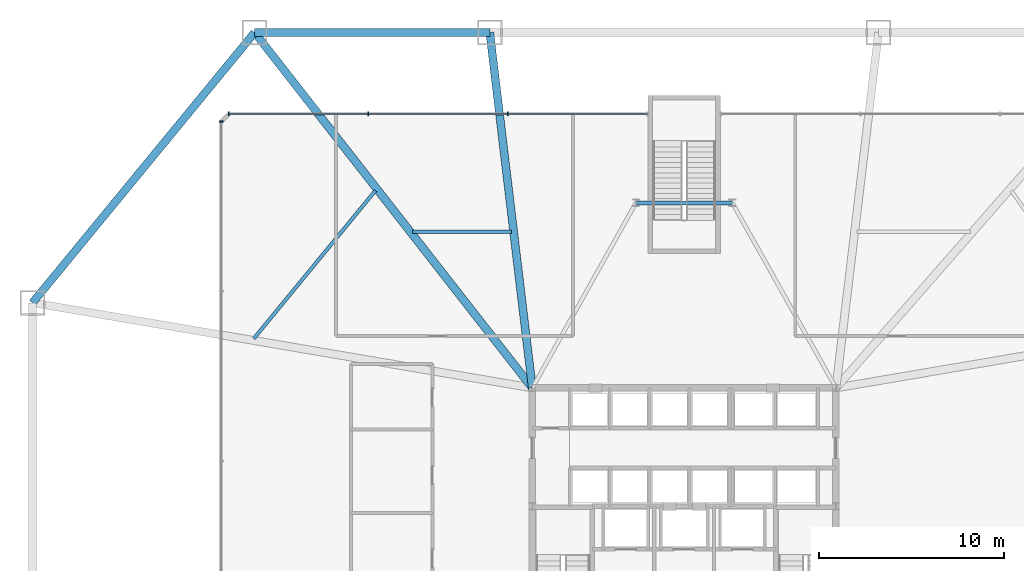
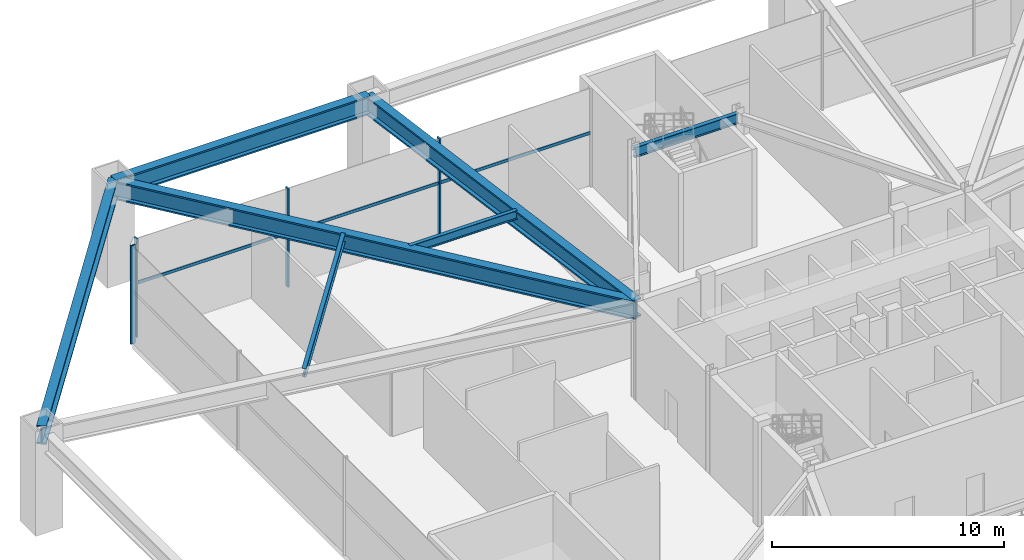
# One storey, part 11 of 18: 7 beams, 5 members, 2 elements without a shape of their own.
"""IFC4 building model written with IfcOpenShell, lengths in metres."""

from ifc_helpers import new_model, si_unit, direction, frame, origin, origin_2d, place, context, subcontext, project, spatial, rectangle, i_section, extrude, source, transform, mapped, material, layer, layer_set, material_profile, profile_set, type_object, type_shapes, element, aggregate, save


model = new_model("IFC4")

# Units and contexts
model_context = context("Model", 3, precision=1e-05, world=origin(), true_north=direction((0.0, 1.0)))
body_context = subcontext(model_context, "Body", "Model", "MODEL_VIEW")
ifc_project = project(units=[si_unit("LENGTHUNIT", "METRE"), si_unit("AREAUNIT", "SQUARE_METRE"), si_unit("VOLUMEUNIT", "CUBIC_METRE"), si_unit("PLANEANGLEUNIT", "RADIAN"), si_unit("MASSUNIT", "GRAM", prefix="KILO")], contexts=[model_context])

# Site, building, storey
site_placement = place(None, origin())
site = spatial("IfcSite", under=ifc_project, at=site_placement, CompositionType="ELEMENT")
building_placement = place(site_placement, origin())
building = spatial("IfcBuilding", under=site, at=building_placement, Name="Varakhsha Concourse Tower", CompositionType="ELEMENT")
storey_placement = place(building_placement, frame((0.0, 0.0, 5.5)))
storey = spatial("IfcBuildingStorey", under=building, at=storey_placement, Name="L02", CompositionType="ELEMENT", Elevation=5.5)

# Beams
ifc_material_1 = material(Name="Structural Steel ASTM A992 Grade 50", Category="steel")
ifc_material_profile_1 = material_profile(ifc_material_1, i_section(OverallWidth=0.19091796875, OverallDepth=0.45703125, WebThickness=0.009033203125, FlangeThickness=0.013916015625, at=origin_2d()), Name="W18X50")
ifc_profile_set_1 = profile_set([ifc_material_profile_1], Name="Structural Steel ASTM A992 Grade 50")
beam_type_1 = type_object("IfcBeamType", Name="BM-JST-W18X50", PredefinedType="JOIST", material=ifc_profile_set_1)
beam_1_placement = place(storey_placement, frame((30.66796875, 39.64794921875, 4.951416015625), z_axis=(-1.0, 0.0, 0.0), x_axis=(0.0, -1.0, 0.0)))
element("IfcBeam", 1, at=beam_1_placement, inside=storey, type_object=beam_type_1, Name="BM-PJST-L02-09", PredefinedType="JOIST", context=body_context, shape_type="SweptSolid", body=[
    extrude(i_section(OverallWidth=0.19091796875, OverallDepth=0.45703125, WebThickness=0.009033203125, FlangeThickness=0.013916015625, at=origin_2d()), origin(), (0.0, 0.0, 1.0), 5.347900390625),
])
beam_2_placement = place(storey_placement, frame((23.32373046875, 41.859375, 4.951416015625), z_axis=(-0.634959865375, -0.772545124483, 0.0), x_axis=(0.772545124483, -0.634959865375, 0.0)))
element("IfcBeam", 2, at=beam_2_placement, inside=storey, type_object=beam_type_1, Name="BM-PJST-L02-10", PredefinedType="JOIST", context=body_context, shape_type="SweptSolid", body=[
    extrude(i_section(OverallWidth=0.19091796875, OverallDepth=0.45703125, WebThickness=0.009033203125, FlangeThickness=0.013916015625, at=origin_2d()), origin(), (0.0, 0.0, 1.0), 10.34326171875),
])
ifc_material_profile_2 = material_profile(ifc_material_1, i_section(OverallWidth=0.2109375, OverallDepth=0.5390625, WebThickness=0.011962890625, FlangeThickness=0.01904296875, at=origin_2d()), Name="W21X73")
ifc_profile_set_2 = profile_set([ifc_material_profile_2], Name="Structural Steel ASTM A992 Grade 50")
beam_type_2 = type_object("IfcBeamType", Name="BM-RAD-W21X73", PredefinedType="BEAM", material=ifc_profile_set_2)
beam_3_placement = place(storey_placement, frame((37.39990234375, 41.199951171875, 4.910400390625), z_axis=(1.0, 0.0, 0.0), x_axis=(0.0, 1.0, 0.0)))
element("IfcBeam", 3, at=beam_3_placement, inside=storey, type_object=beam_type_2, Name="BM-CORE-L02-NSB", PredefinedType="BEAM", context=body_context, shape_type="SweptSolid", body=[
    extrude(i_section(OverallWidth=0.2109375, OverallDepth=0.5390625, WebThickness=0.011962890625, FlangeThickness=0.01904296875, at=origin_2d()), origin(), (0.0, 0.0, 1.0), 5.2001953125),
])
ifc_material_profile_3 = material_profile(ifc_material_1, i_section(OverallWidth=0.427978515625, OverallDepth=0.97509765625, WebThickness=0.050048828125, FlangeThickness=0.0810546875, at=origin_2d()), Name="W36X395")
ifc_profile_set_3 = profile_set([ifc_material_profile_3], Name="Structural Steel ASTM A992 Grade 50")
beam_type_3 = type_object("IfcBeamType", Name="BM-XFER-W36X395", PredefinedType="USERDEFINED", material=ifc_profile_set_3)
beam_4_placement = place(storey_placement, frame((29.5, 50.39990234375, 4.6923828125), z_axis=(-1.0, 0.0, 0.0), x_axis=(0.0, -1.0, 0.0)))
element("IfcBeam", 4, at=beam_4_placement, inside=storey, type_object=beam_type_3, Name="BM-PRING-L02-09", ObjectType="GIRDER", PredefinedType="USERDEFINED", context=body_context, shape_type="SweptSolid", body=[
    extrude(i_section(OverallWidth=0.427978515625, OverallDepth=0.97509765625, WebThickness=0.050048828125, FlangeThickness=0.0810546875, at=origin_2d()), origin(), (0.0, 0.0, 1.0), 12.699951171875),
])
beam_5_placement = place(storey_placement, frame((16.800048828125, 50.39990234375, 4.6923828125), z_axis=(-0.634968877859, -0.772537716976, 0.0), x_axis=(0.772537716976, -0.634968877859, 0.0)))
element("IfcBeam", 5, at=beam_5_placement, inside=storey, type_object=beam_type_3, Name="BM-PRING-L02-10", ObjectType="GIRDER", PredefinedType="USERDEFINED", context=body_context, shape_type="SweptSolid", body=[
    extrude(i_section(OverallWidth=0.427978515625, OverallDepth=0.97509765625, WebThickness=0.050048828125, FlangeThickness=0.0810546875, at=origin_2d()), origin(), (0.0, 0.0, 1.0), 18.898681640625),
])
beam_6_placement = place(storey_placement, frame((31.800048828125, 31.199951171875, 4.6923828125), z_axis=(-0.118944087656, 0.992900953777, 0.0), x_axis=(-0.992900953777, -0.118944087656, 0.0)))
element("IfcBeam", 6, at=beam_6_placement, inside=storey, type_object=beam_type_3, Name="BM-PRAD-L02-09", ObjectType="GIRDER", PredefinedType="USERDEFINED", context=body_context, shape_type="SweptSolid", body=[
    extrude(i_section(OverallWidth=0.427978515625, OverallDepth=0.97509765625, WebThickness=0.050048828125, FlangeThickness=0.0810546875, at=origin_2d()), origin(), (0.0, 0.0, 1.0), 19.337158203125),
])
beam_7_placement = place(storey_placement, frame((31.800048828125, 31.199951171875, 4.6923828125), z_axis=(-0.615645014223, 0.788023614153, 0.0), x_axis=(-0.788023614153, -0.615645014223, 0.0)))
element("IfcBeam", 7, at=beam_7_placement, inside=storey, type_object=beam_type_3, Name="BM-PRAD-L02-10", ObjectType="GIRDER", PredefinedType="USERDEFINED", context=body_context, shape_type="SweptSolid", body=[
    extrude(i_section(OverallWidth=0.427978515625, OverallDepth=0.97509765625, WebThickness=0.050048828125, FlangeThickness=0.0810546875, at=origin_2d()), origin(), (0.0, 0.0, 1.0), 24.36474609375),
])

# Curtain wall, members
ifc_material_2 = material(Name="Anodised Bronze Architectural Aluminium AA 6063-T6", Category="aluminium")
ifc_layer = layer(ifc_material_2, 0.239990234375, Name="CW-SYS-01")
ifc_layer_set = layer_set([ifc_layer], Name="Anodised Bronze Architectural Aluminium AA 6063-T6")
curtain_wall_type = type_object("IfcCurtainWallType", Name="CW-SYS-01", PredefinedType="NOTDEFINED", material=ifc_layer_set)
curtain_wall_1_placement = place(storey_placement, origin())
curtain_wall_1 = element("IfcCurtainWall", 8, at=curtain_wall_1_placement, inside=storey, type_object=curtain_wall_type, Name="L02 Mezzanine Curtain Wall 05B", PredefinedType="NOTDEFINED")
ifc_material_profile_4 = material_profile(ifc_material_2, rectangle(XDim=0.074951171875, YDim=0.219970703125, at=origin_2d()), Name="CWM-220X75")
ifc_profile_set_4 = profile_set([ifc_material_profile_4], Name="Anodised Bronze Architectural Aluminium AA 6063-T6")
member_type_1 = type_object("IfcMemberType", Name="CWM-220X75", PredefinedType="MULLION", material=ifc_profile_set_4)
shared_shape_1 = source(origin(), body_context, "Body", "SweptSolid", [
    extrude(rectangle(XDim=0.074951171875, YDim=0.219970703125, at=origin_2d()), origin(), (0.0, 0.0, 1.0), 5.179931640625),
])
type_shapes(member_type_1, [shared_shape_1])
member_1_placement = place(storey_placement, frame((30.473388671875, 46.0, 0.0), z_axis=(0.0, 0.0, 1.0), x_axis=(-1.0, 0.0, 0.0)))
member_1 = element("IfcMember", 9, at=member_1_placement, type_object=member_type_1, Name="CW-L02-05B Mullion 01", PredefinedType="MULLION", context=body_context, shape_type="MappedRepresentation", body=[
    mapped(shared_shape_1, transform((0.0, 0.0, 0.0), scale=1.0)),
])
member_2_placement = place(storey_placement, frame((22.9365234375, 46.0, 0.0), z_axis=(0.0, 0.0, 1.0), x_axis=(-1.0, 0.0, 0.0)))
member_2 = element("IfcMember", 10, at=member_2_placement, type_object=member_type_1, Name="CW-L02-05B Mullion 02", PredefinedType="MULLION", context=body_context, shape_type="MappedRepresentation", body=[
    mapped(shared_shape_1, transform((0.0, 0.0, 0.0), scale=1.0)),
])
member_3_placement = place(storey_placement, frame((15.39990234375, 46.0, 0.0), z_axis=(0.0, 0.0, 1.0), x_axis=(-1.0, 0.0, 0.0)))
member_3 = element("IfcMember", 11, at=member_3_placement, type_object=member_type_1, Name="CW-L02-05B Mullion 03", PredefinedType="MULLION", context=body_context, shape_type="MappedRepresentation", body=[
    mapped(shared_shape_1, transform((0.0, 0.0, 0.0), scale=1.0)),
])

# Curtain wall, member
curtain_wall_2_placement = place(storey_placement, origin())
curtain_wall_2 = element("IfcCurtainWall", 12, at=curtain_wall_2_placement, inside=storey, type_object=curtain_wall_type, Name="L02 Mezzanine Curtain Wall 07", PredefinedType="NOTDEFINED")
member_4_placement = place(storey_placement, frame((15.0, 45.60009765625, 0.0), z_axis=(0.0, 0.0, 1.0), x_axis=(0.0, -1.0, 0.0)))
member_4 = element("IfcMember", 13, at=member_4_placement, type_object=member_type_1, Name="CW-L02-07 Mullion 00", PredefinedType="MULLION", context=body_context, shape_type="MappedRepresentation", body=[
    mapped(shared_shape_1, transform((0.0, 0.0, 0.0), scale=1.0)),
])
aggregate(curtain_wall_2, [member_4])

# Member
ifc_material_profile_5 = material_profile(ifc_material_2, rectangle(XDim=0.06494140625, YDim=0.159912109375, at=origin_2d()), Name="CWT-160X65")
ifc_profile_set_5 = profile_set([ifc_material_profile_5], Name="Anodised Bronze Architectural Aluminium AA 6063-T6")
member_type_2 = type_object("IfcMemberType", Name="CWT-160X65", PredefinedType="USERDEFINED", material=ifc_profile_set_5)
shared_shape_2 = source(origin(), body_context, "Body", "SweptSolid", [
    extrude(rectangle(XDim=0.06494140625, YDim=0.159912109375, at=origin_2d()), origin(), (0.0, 0.0, 1.0), 22.610107421875),
])
type_shapes(member_type_2, [shared_shape_2])
member_5_placement = place(storey_placement, frame((38.010009765625, 46.0, 2.800048828125), z_axis=(-1.0, 0.0, 0.0), x_axis=(0.0, -1.0, 0.0)))
member_5 = element("IfcMember", 14, at=member_5_placement, type_object=member_type_2, Name="CW-L02-05B Transom 01", ObjectType="TRANSOM", PredefinedType="USERDEFINED", context=body_context, shape_type="MappedRepresentation", body=[
    mapped(shared_shape_2, transform((0.0, 0.0, 0.0), scale=1.0)),
])

aggregate(curtain_wall_1, [member_1, member_2, member_3, member_5])

save(model, "model.ifc")
